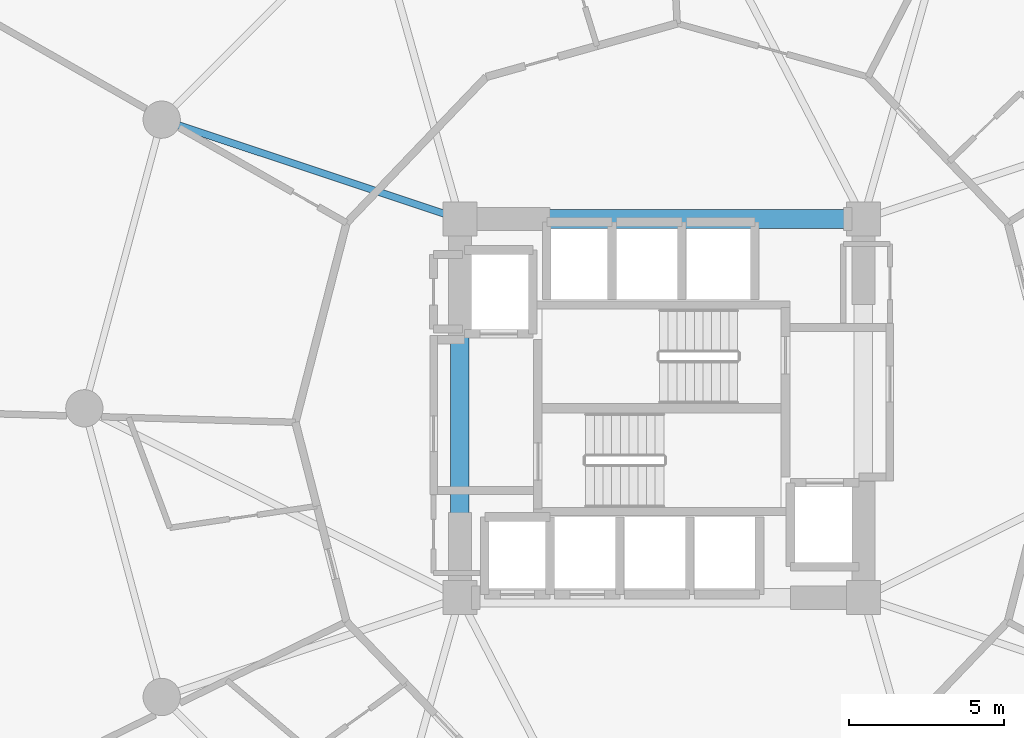
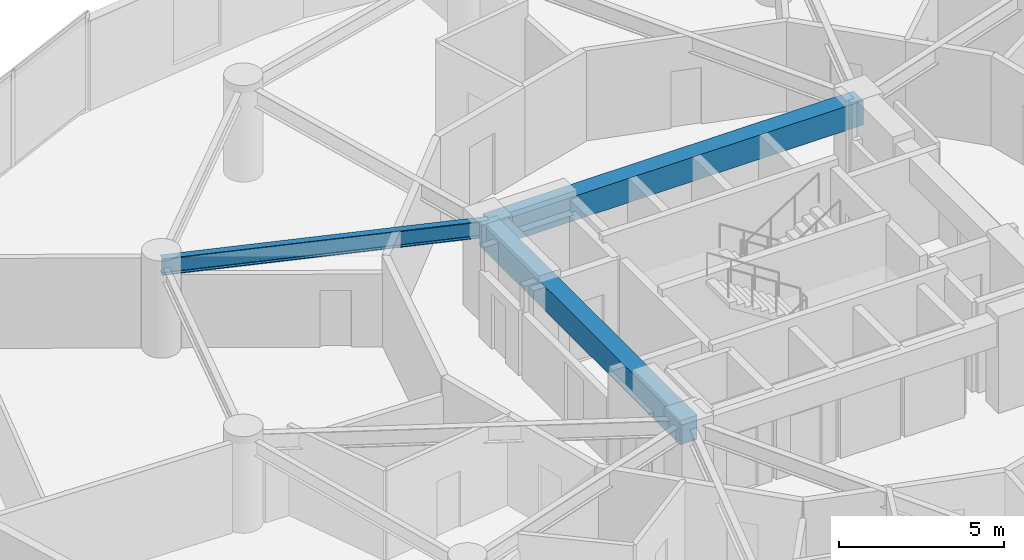
# One storey, part 9 of 25: 3 beams.
"""IFC4 building model written with IfcOpenShell, lengths in metres."""

from ifc_helpers import new_model, si_unit, direction, frame, origin, origin_2d, place, context, subcontext, project, spatial, rectangle, i_section, extrude, material, material_profile, profile_set, type_object, element, save


model = new_model("IFC4")

# Units and contexts
model_context = context("Model", 3, precision=1e-05, world=origin(), true_north=direction((0.0, 1.0)))
body_context = subcontext(model_context, "Body", "Model", "MODEL_VIEW")
ifc_project = project(units=[si_unit("LENGTHUNIT", "METRE"), si_unit("AREAUNIT", "SQUARE_METRE"), si_unit("VOLUMEUNIT", "CUBIC_METRE"), si_unit("PLANEANGLEUNIT", "RADIAN"), si_unit("MASSUNIT", "GRAM", prefix="KILO")], contexts=[model_context])

# Site, building, storey
site_placement = place(None, origin())
site = spatial("IfcSite", under=ifc_project, at=site_placement, CompositionType="ELEMENT")
building_placement = place(site_placement, origin())
building = spatial("IfcBuilding", under=site, at=building_placement, Name="Solvirekh Grand Hotel", CompositionType="ELEMENT")
storey_placement = place(building_placement, frame((0.0, 0.0, 60.800048828125)))
storey = spatial("IfcBuildingStorey", under=building, at=storey_placement, Name="L14", CompositionType="ELEMENT", Elevation=60.800048828125)

# Beams
ifc_material_1 = material(Name="Concrete C50/60", Category="concrete")
ifc_material_profile_1 = material_profile(ifc_material_1, rectangle(XDim=0.60009765625, YDim=0.89990234375, at=origin_2d()), Name="RC BEAM 600X900")
ifc_profile_set_1 = profile_set([ifc_material_profile_1], Name="Concrete C50/60")
beam_type_1 = type_object("IfcBeamType", Name="Beam_Core_RC900", PredefinedType="BEAM", material=ifc_profile_set_1)
beam_1_placement = place(storey_placement, frame((6.5, 6.10009765625, 2.889892578125), z_axis=(-1.0, 0.0, 0.0), x_axis=(0.0, -1.0, 0.0)))
element("IfcBeam", 1, at=beam_1_placement, inside=storey, type_object=beam_type_1, Name="L14 core coupling ring beam 3", PredefinedType="BEAM", context=body_context, shape_type="SweptSolid", body=[
    extrude(rectangle(XDim=0.60009765625, YDim=0.89990234375, at=origin_2d()), origin(), (0.0, 0.0, 1.0), 13.0),
])
beam_2_placement = place(storey_placement, frame((-6.5, 6.10009765625, 2.889892578125), z_axis=(0.0, -1.0, 0.0), x_axis=(1.0, 0.0, 0.0)))
element("IfcBeam", 2, at=beam_2_placement, inside=storey, type_object=beam_type_1, Name="L14 core coupling ring beam 4", PredefinedType="BEAM", context=body_context, shape_type="SweptSolid", body=[
    extrude(rectangle(XDim=0.60009765625, YDim=0.89990234375, at=origin_2d()), origin(), (0.0, 0.0, 1.0), 12.2001953125),
])
ifc_material_2 = material(Name="Steel S355", Category="steel")
ifc_material_profile_2 = material_profile(ifc_material_2, i_section(OverallWidth=0.22998046875, OverallDepth=0.615966796875, WebThickness=0.013916015625, FlangeThickness=0.02392578125, FilletRadius=0.014892578125, at=origin_2d()), Name="W610X174")
ifc_profile_set_2 = profile_set([ifc_material_profile_2], Name="Steel S355")
beam_type_2 = type_object("IfcBeamType", Name="Beam_Primary_W610H", PredefinedType="BEAM", material=ifc_profile_set_2)
beam_3_placement = place(storey_placement, frame((-6.5, 6.10009765625, 3.031982421875), z_axis=(-0.948762825819, 0.315989082635, 0.0), x_axis=(-0.315989082635, -0.948762825819, 0.0)))
element("IfcBeam", 3, at=beam_3_placement, inside=storey, type_object=beam_type_2, Name="L14 radial floor beam R06", PredefinedType="BEAM", context=body_context, shape_type="SweptSolid", body=[
    extrude(i_section(OverallWidth=0.22998046875, OverallDepth=0.615966796875, WebThickness=0.013916015625, FlangeThickness=0.02392578125, FilletRadius=0.014892578125, at=origin_2d()), origin(), (0.0, 0.0, 1.0), 10.126708984375),
])

save(model, "model.ifc")
